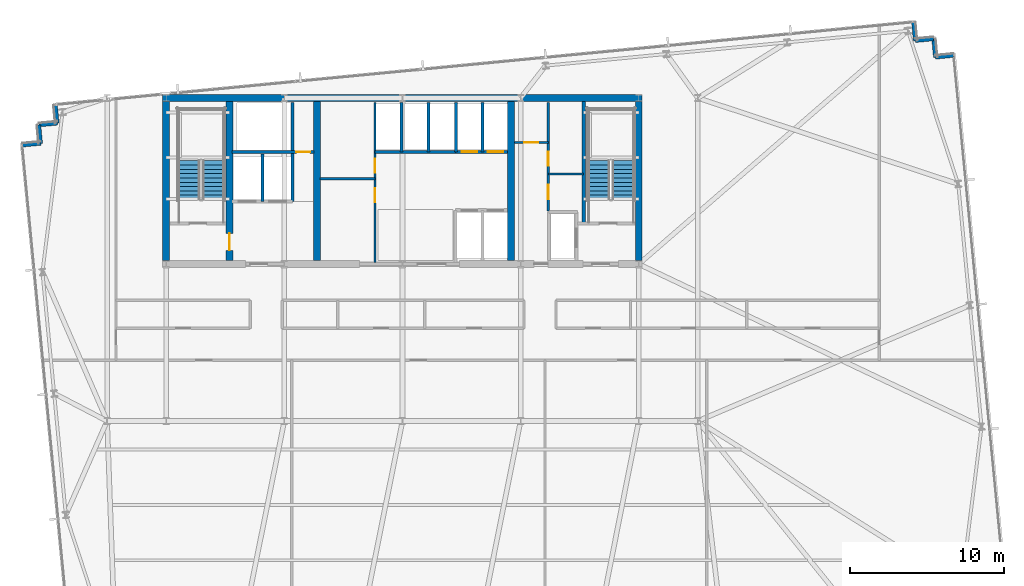
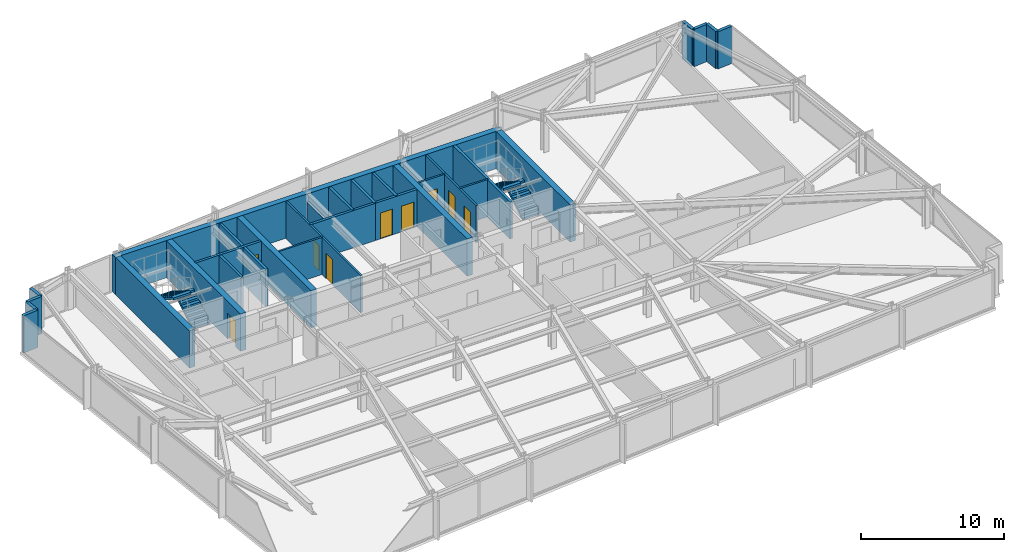
# One storey, part 26 of 32: 29 walls, 9 doors, 4 stair flights, 9 openings, 2 elements without a shape of their own.
"""IFC4 building model written with IfcOpenShell, lengths in metres."""

from ifc_helpers import new_model, si_unit, direction, frame, frame_2d, origin, place, context, subcontext, project, spatial, polyline, rectangle, outline, extrude, material, layer, layer_set, type_object, element, fill, aggregate, save


model = new_model("IFC4")

# Units and contexts
model_context = context("Model", 3, precision=1e-05, world=origin(), true_north=direction((0.0, 1.0)))
body_context = subcontext(model_context, "Body", "Model", "MODEL_VIEW")
ifc_project = project(units=[si_unit("LENGTHUNIT", "METRE"), si_unit("AREAUNIT", "SQUARE_METRE"), si_unit("VOLUMEUNIT", "CUBIC_METRE"), si_unit("PLANEANGLEUNIT", "RADIAN"), si_unit("MASSUNIT", "GRAM", prefix="KILO")], contexts=[model_context])

# Site, building, storey
site_placement = place(None, origin())
site = spatial("IfcSite", under=ifc_project, at=site_placement, CompositionType="ELEMENT")
building_placement = place(site_placement, origin())
building = spatial("IfcBuilding", under=site, at=building_placement, Name="Yelkora Congress Tower", CompositionType="ELEMENT")
storey_placement = place(building_placement, frame((0.0, 0.0, 113.5)))
storey = spatial("IfcBuildingStorey", under=building, at=storey_placement, Name="L30", CompositionType="ELEMENT", Elevation=113.5)

# Walls
ifc_material_1 = material(Name="Concrete C50/60", Category="concrete")
ifc_layer_1 = layer(ifc_material_1, 0.219970703125)
ifc_layer_set_1 = layer_set([ifc_layer_1], Name="Concrete C50/60")
wall_type_1 = type_object("IfcWallType", Name="WALL-CORE-INT-220", PredefinedType="SHEAR", material=ifc_layer_set_1)
wall_1_placement = place(storey_placement, frame((50.179931640625, 38.050048828125, 0.0), z_axis=(0.0, 0.0, 1.0), x_axis=(0.0, 1.0, 0.0)))
element("IfcWall", 1, at=wall_1_placement, inside=storey, type_object=wall_type_1, Name="L30 ST02 West Stair Shear Wall", PredefinedType="SHEAR", context=body_context, shape_type="SweptSolid", body=[
    extrude(rectangle(XDim=7.925048828125, YDim=0.219970703125, at=frame_2d((3.96240234375, 0.0))), origin(), (0.0, 0.0, 1.0), 3.179931640625),
])
ifc_material_2 = material(Name="Concrete C60/75", Category="concrete")
ifc_layer_2 = layer(ifc_material_2, 0.449951171875)
ifc_layer_set_2 = layer_set([ifc_layer_2], Name="Concrete C60/75")
wall_type_2 = type_object("IfcWallType", Name="WALL-CORE-INT-450", PredefinedType="SHEAR", material=ifc_layer_set_2)
wall_2_placement = place(storey_placement, frame((22.81494140625, 46.199951171875, 0.0), z_axis=(0.0, 0.0, 1.0), x_axis=(1.0, 0.0, 0.0)))
element("IfcWall", 2, at=wall_2_placement, inside=storey, type_object=wall_type_2, Name="L30 Rear Core North Shear Wall", PredefinedType="SHEAR", context=body_context, shape_type="SweptSolid", body=[
    extrude(rectangle(XDim=31.170166015625, YDim=0.449951171875, at=frame_2d((15.5849609375, 0.0))), origin(), (0.0, 0.0, 1.0), 3.179931640625),
])
wall_3_placement = place(storey_placement, frame((23.0400390625, 35.625, 0.0), z_axis=(0.0, 0.0, 1.0), x_axis=(0.0, 1.0, 0.0)))
element("IfcWall", 3, at=wall_3_placement, inside=storey, type_object=wall_type_2, Name="L30 Rear Core Cross Shear Wall W", PredefinedType="SHEAR", context=body_context, shape_type="SweptSolid", body=[
    extrude(rectangle(XDim=10.35009765625, YDim=0.449951171875, at=frame_2d((5.175048828125, 0.0))), origin(), (0.0, 0.0, 1.0), 3.179931640625),
])

# Wall, opening, door
wall_4_placement = place(storey_placement, frame((27.14990234375, 35.625, 0.0), z_axis=(0.0, 0.0, 1.0), x_axis=(0.0, 1.0, 0.0)))
wall_4 = element("IfcWall", 4, at=wall_4_placement, inside=storey, type_object=wall_type_2, Name="L30 Rear Core Cross Shear Wall C1", PredefinedType="SHEAR", context=body_context, shape_type="SweptSolid", body=[
    extrude(rectangle(XDim=10.35009765625, YDim=0.449951171875, at=frame_2d((5.175048828125, 0.0))), origin(), (0.0, 0.0, 1.0), 3.179931640625),
])
opening_1_placement = place(wall_4_placement, frame((0.675048828125, 0.0, 0.0)))
opening_1 = element("IfcOpeningElement", 5, at=opening_1_placement, cuts=wall_4, Name="Opening DR-110F9", PredefinedType="OPENING", context=body_context, shape_type="SweptSolid", body=[
    extrude(rectangle(XDim=1.10009765625, YDim=2.14990234375, at=frame_2d((0.550048828125, 1.074951171875))), frame((0.0, 0.23486328125, 0.0), z_axis=(0.0, -1.0, 0.0), x_axis=(1.0, 0.0, 0.0)), (0.0, 0.0, 1.0), 0.469970703125),
])
ifc_material_3 = material(Name="Galvanised steel fire door leaf", Category="steel")
door_type_1 = type_object("IfcDoorType", Name="DOOR-FD90-1100", OperationType="NOTDEFINED", PredefinedType="DOOR", material=ifc_material_3)
door_1_placement = place(opening_1_placement, origin())
door_1 = element("IfcDoor", 6, at=door_1_placement, inside=storey, type_object=door_type_1, Name="L30 Firefighting Stair Transfer Door", OperationType="SINGLE_SWING_LEFT", OverallHeight=2.14990234375, OverallWidth=1.10009765625, PredefinedType="DOOR", context=body_context, shape_type="SweptSolid", body=[
    extrude(rectangle(XDim=1.10009765625, YDim=2.14990234375, at=frame_2d((0.550048828125, 1.074951171875))), frame((0.0, 0.02490234375, 0.0), z_axis=(0.0, -1.0, 0.0), x_axis=(1.0, 0.0, 0.0)), (0.0, 0.0, 1.0), 0.050048828125),
])
fill(opening_1, door_1)

# Walls
for number, where, z_axis, x_axis, name in (
    (7, (32.85009765625, 35.625, 0.0), (0.0, 0.0, 1.0), (0.0, 1.0, 0.0), "L30 Rear Core Cross Shear Wall C2"),
    (8, (45.449951171875, 35.625, 0.0), (0.0, 0.0, 1.0), (0.0, 1.0, 0.0), "L30 Rear Core Cross Shear Wall C3"),
    (9, (53.760009765625, 35.625, 0.0), (0.0, 0.0, 1.0), (0.0, 1.0, 0.0), "L30 Rear Core Cross Shear Wall E"),
):
    element("IfcWall", number, at=place(storey_placement, frame(where, z_axis=z_axis, x_axis=x_axis)), inside=storey, type_object=wall_type_2, Name=name, PredefinedType="SHEAR", context=body_context, shape_type="SweptSolid", body=[
        extrude(rectangle(XDim=10.35009765625, YDim=0.449951171875, at=frame_2d((5.175048828125, 0.0))), origin(), (0.0, 0.0, 1.0), 3.179931640625),
    ])
ifc_material_4 = material(Name="Concrete C40/50", Category="concrete")
ifc_layer_3 = layer(ifc_material_4, 0.239990234375)
ifc_layer_set_3 = layer_set([ifc_layer_3], Name="Concrete C40/50")
wall_type_3 = type_object("IfcWallType", Name="WALL-EXT-LIMESTONE-240", PredefinedType="SOLIDWALL", material=ifc_layer_set_3)
for number, where, z_axis, x_axis, name in (
    (10, (13.69091796875, 43.126708984375, 0.0), (0.0, 0.0, 1.0), (0.995398960025, 0.095817067274, 0.0), "L30 Serrated Corner Limestone Pier 6"),
    (11, (14.885498046875, 43.24169921875, 0.0), (0.0, 0.0, 1.0), (-0.095817067274, 0.995398960025, 0.0), "L30 Serrated Corner Limestone Pier 7"),
):
    element("IfcWall", number, at=place(storey_placement, frame(where, z_axis=z_axis, x_axis=x_axis)), inside=storey, type_object=wall_type_3, Name=name, PredefinedType="SOLIDWALL", context=body_context, shape_type="SweptSolid", body=[
        extrude(rectangle(XDim=1.2001953125, YDim=0.239990234375, at=frame_2d((0.60009765625, 0.0))), origin(), (0.0, 0.0, 1.0), 3.179931640625),
    ])
for number, where, z_axis, x_axis, name in (
    (12, (14.7705078125, 44.436279296875, 0.0), (0.0, 0.0, 1.0), (0.995397091755, 0.095836473879, 0.0), "L30 Serrated Corner Limestone Pier 8"),
    (13, (15.96484375, 44.55126953125, 0.0), (0.0, 0.0, 1.0), (-0.095836473879, 0.995397091755, 0.0), "L30 Serrated Corner Limestone Pier 9"),
):
    element("IfcWall", number, at=place(storey_placement, frame(where, z_axis=z_axis, x_axis=x_axis)), inside=storey, type_object=wall_type_3, Name=name, PredefinedType="SOLIDWALL", context=body_context, shape_type="SweptSolid", body=[
        extrude(rectangle(XDim=1.199951171875, YDim=0.239990234375, at=frame_2d((0.60009765625, 0.0))), origin(), (0.0, 0.0, 1.0), 3.179931640625),
    ])
for number, where, z_axis, x_axis, name in (
    (14, (71.61181640625, 51.114990234375, 0.0), (0.0, 0.0, 1.0), (0.095817067274, -0.995398960025, 0.0), "L30 Serrated Corner Limestone Pier 11"),
    (15, (71.726806640625, 49.92041015625, 0.0), (0.0, 0.0, 1.0), (0.995398960025, 0.095817067274, 0.0), "L30 Serrated Corner Limestone Pier 12"),
    (16, (72.92138671875, 50.035400390625, 0.0), (0.0, 0.0, 1.0), (0.095817067274, -0.995398960025, 0.0), "L30 Serrated Corner Limestone Pier 13"),
    (17, (73.036376953125, 48.8408203125, 0.0), (0.0, 0.0, 1.0), (0.995379537303, 0.096018626938, 0.0), "L30 Serrated Corner Limestone Pier 14"),
):
    element("IfcWall", number, at=place(storey_placement, frame(where, z_axis=z_axis, x_axis=x_axis)), inside=storey, type_object=wall_type_3, Name=name, PredefinedType="SOLIDWALL", context=body_context, shape_type="SweptSolid", body=[
        extrude(rectangle(XDim=1.2001953125, YDim=0.239990234375, at=frame_2d((0.60009765625, 0.0))), origin(), (0.0, 0.0, 1.0), 3.179931640625),
    ])

# Wall, opening, door
ifc_material_5 = material(Name="Acoustic metal-stud gypsum partition", Category="gypsum")
ifc_layer_4 = layer(ifc_material_5, 0.14990234375)
ifc_layer_set_4 = layer_set([ifc_layer_4], Name="Acoustic metal-stud gypsum partition")
wall_type_4 = type_object("IfcWallType", Name="WALL-INT-150-NR", PredefinedType="PARTITIONING", material=ifc_layer_set_4)
wall_5_placement = place(storey_placement, frame((45.679931640625, 43.31005859375, 0.0), z_axis=(0.0, 0.0, 1.0), x_axis=(1.0, 0.0, 0.0)))
wall_5 = element("IfcWall", 18, at=wall_5_placement, inside=storey, type_object=wall_type_4, Name="L30 Partition Wall 24", PredefinedType="PARTITIONING", context=body_context, shape_type="SweptSolid", body=[
    extrude(rectangle(XDim=2.199951171875, YDim=0.14990234375, at=frame_2d((1.10009765625, 0.0))), origin(), (0.0, 0.0, 1.0), 3.179931640625),
])
opening_2_placement = place(wall_5_placement, frame((0.64990234375, 0.0, 0.0)))
opening_2 = element("IfcOpeningElement", 19, at=opening_2_placement, cuts=wall_5, Name="Opening DR-090N", PredefinedType="OPENING", context=body_context, shape_type="SweptSolid", body=[
    extrude(rectangle(XDim=0.89990234375, YDim=2.14990234375, at=frame_2d((0.449951171875, 1.074951171875))), frame((0.0, 0.0849609375, 0.0), z_axis=(0.0, -1.0, 0.0), x_axis=(1.0, 0.0, 0.0)), (0.0, 0.0, 1.0), 0.169921875),
])
ifc_material_6 = material(Name="Moisture-resistant laminate door leaf", Category="wood")
door_type_2 = type_object("IfcDoorType", Name="DOOR-INT-900", OperationType="NOTDEFINED", PredefinedType="DOOR", material=ifc_material_6)
door_2_placement = place(opening_2_placement, origin())
door_2 = element("IfcDoor", 20, at=door_2_placement, inside=storey, type_object=door_type_2, Name="L30 Male WC Door", OperationType="SINGLE_SWING_RIGHT", OverallHeight=2.14990234375, OverallWidth=0.89990234375, PredefinedType="DOOR", context=body_context, shape_type="SweptSolid", body=[
    extrude(rectangle(XDim=0.89990234375, YDim=2.14990234375, at=frame_2d((0.449951171875, 1.074951171875))), frame((0.0, 0.02490234375, 0.0), z_axis=(0.0, -1.0, 0.0), x_axis=(1.0, 0.0, 0.0)), (0.0, 0.0, 1.0), 0.050048828125),
])
fill(opening_2, door_2)

# Wall
wall_6_placement = place(storey_placement, frame((47.8798828125, 41.260009765625, 0.0), z_axis=(0.0, 0.0, 1.0), x_axis=(1.0, 0.0, 0.0)))
element("IfcWall", 21, at=wall_6_placement, inside=storey, type_object=wall_type_4, Name="L30 Partition Wall 25", PredefinedType="PARTITIONING", context=body_context, shape_type="SweptSolid", body=[
    extrude(rectangle(XDim=2.300048828125, YDim=0.14990234375, at=frame_2d((1.14990234375, 0.0))), origin(), (0.0, 0.0, 1.0), 3.179931640625),
])

# Wall, openings, doors
wall_7_placement = place(storey_placement, frame((47.8798828125, 38.85009765625, 0.0), z_axis=(0.0, 0.0, 1.0), x_axis=(0.0, 1.0, 0.0)))
wall_7 = element("IfcWall", 22, at=wall_7_placement, inside=storey, type_object=wall_type_4, Name="L30 Partition Wall 26", PredefinedType="PARTITIONING", context=body_context, shape_type="SweptSolid", body=[
    extrude(rectangle(XDim=7.06982421875, YDim=0.14990234375, at=frame_2d((3.534912109375, 0.0))), origin(), (0.0, 0.0, 1.0), 3.179931640625),
])
opening_3_placement = place(wall_7_placement, frame((0.75, 0.0, 0.0)))
opening_3 = element("IfcOpeningElement", 23, at=opening_3_placement, cuts=wall_7, Name="Opening DR-095N", PredefinedType="OPENING", context=body_context, shape_type="SweptSolid", body=[
    extrude(rectangle(XDim=0.949951171875, YDim=2.14990234375, at=frame_2d((0.47509765625, 1.074951171875))), frame((0.0, 0.0849609375, 0.0), z_axis=(0.0, -1.0, 0.0), x_axis=(1.0, 0.0, 0.0)), (0.0, 0.0, 1.0), 0.169921875),
])
opening_4_placement = place(wall_7_placement, frame((2.949951171875, 0.0, 0.0)))
opening_4 = element("IfcOpeningElement", 24, at=opening_4_placement, cuts=wall_7, Name="Opening DR-090N", PredefinedType="OPENING", context=body_context, shape_type="SweptSolid", body=[
    extrude(rectangle(XDim=0.89990234375, YDim=2.14990234375, at=frame_2d((0.449951171875, 1.074951171875))), frame((0.0, 0.0849609375, 0.0), z_axis=(0.0, -1.0, 0.0), x_axis=(1.0, 0.0, 0.0)), (0.0, 0.0, 1.0), 0.169921875),
])
door_3_placement = place(opening_4_placement, origin())
door_3 = element("IfcDoor", 25, at=door_3_placement, inside=storey, type_object=door_type_2, Name="L30 Female WC Door", OperationType="SINGLE_SWING_RIGHT", OverallHeight=2.14990234375, OverallWidth=0.89990234375, PredefinedType="DOOR", context=body_context, shape_type="SweptSolid", body=[
    extrude(rectangle(XDim=0.89990234375, YDim=2.14990234375, at=frame_2d((0.449951171875, 1.074951171875))), frame((0.0, 0.02490234375, 0.0), z_axis=(0.0, -1.0, 0.0), x_axis=(1.0, 0.0, 0.0)), (0.0, 0.0, 1.0), 0.050048828125),
])
fill(opening_4, door_3)
ifc_material_7 = material(Name="Acoustic laminated timber office door", Category="wood")
door_type_3 = type_object("IfcDoorType", Name="DOOR-INT-950", OperationType="NOTDEFINED", PredefinedType="DOOR", material=ifc_material_7)
door_4_placement = place(opening_3_placement, origin())
door_4 = element("IfcDoor", 26, at=door_4_placement, inside=storey, type_object=door_type_3, Name="L30 Accessible WC Door", OperationType="SINGLE_SWING_LEFT", OverallHeight=2.14990234375, OverallWidth=0.949951171875, PredefinedType="DOOR", context=body_context, shape_type="SweptSolid", body=[
    extrude(rectangle(XDim=0.949951171875, YDim=2.14990234375, at=frame_2d((0.47509765625, 1.074951171875))), frame((0.0, 0.02490234375, 0.0), z_axis=(0.0, -1.0, 0.0), x_axis=(1.0, 0.0, 0.0)), (0.0, 0.0, 1.0), 0.050048828125),
])
fill(opening_3, door_4)

# Wall
ifc_material_8 = material(Name="Twin-stud fire-rated gypsum partition", Category="gypsum")
ifc_layer_5 = layer(ifc_material_8, 0.14990234375)
ifc_layer_set_5 = layer_set([ifc_layer_5], Name="Twin-stud fire-rated gypsum partition")
wall_type_5 = type_object("IfcWallType", Name="WALL-INT-150-R60", PredefinedType="PARTITIONING", material=ifc_layer_set_5)
wall_8_placement = place(storey_placement, frame((33.050048828125, 40.949951171875, 0.0), z_axis=(0.0, 0.0, 1.0), x_axis=(1.0, 0.0, 0.0)))
element("IfcWall", 27, at=wall_8_placement, inside=storey, type_object=wall_type_5, Name="L30 Partition Wall 11", PredefinedType="PARTITIONING", context=body_context, shape_type="SweptSolid", body=[
    extrude(rectangle(XDim=3.570068359375, YDim=0.14990234375, at=frame_2d((1.78515625, 0.0))), origin(), (0.0, 0.0, 1.0), 3.179931640625),
])

# Wall, openings, doors
wall_9_placement = place(storey_placement, frame((36.6201171875, 35.5, 0.0), z_axis=(0.0, 0.0, 1.0), x_axis=(0.0, 1.0, 0.0)))
wall_9 = element("IfcWall", 28, at=wall_9_placement, inside=storey, type_object=wall_type_5, Name="L30 Partition Wall 12", PredefinedType="PARTITIONING", context=body_context, shape_type="SweptSolid", body=[
    extrude(rectangle(XDim=10.419921875, YDim=0.14990234375, at=frame_2d((5.2099609375, 0.0))), origin(), (0.0, 0.0, 1.0), 3.179931640625),
])
opening_5_placement = place(wall_9_placement, frame((3.919921875, 0.0, 0.0)))
opening_5 = element("IfcOpeningElement", 29, at=opening_5_placement, cuts=wall_9, Name="Opening DR-090F6", PredefinedType="OPENING", context=body_context, shape_type="SweptSolid", body=[
    extrude(rectangle(XDim=0.89990234375, YDim=2.14990234375, at=frame_2d((0.449951171875, 1.074951171875))), frame((0.0, 0.0849609375, 0.0), z_axis=(0.0, -1.0, 0.0), x_axis=(1.0, 0.0, 0.0)), (0.0, 0.0, 1.0), 0.169921875),
])
opening_6_placement = place(wall_9_placement, frame((5.85009765625, 0.0, 0.0)))
opening_6 = element("IfcOpeningElement", 30, at=opening_6_placement, cuts=wall_9, Name="Opening DR-090F6", PredefinedType="OPENING", context=body_context, shape_type="SweptSolid", body=[
    extrude(rectangle(XDim=0.89990234375, YDim=2.14990234375, at=frame_2d((0.449951171875, 1.074951171875))), frame((0.0, 0.0849609375, 0.0), z_axis=(0.0, -1.0, 0.0), x_axis=(1.0, 0.0, 0.0)), (0.0, 0.0, 1.0), 0.169921875),
])
ifc_material_9 = material(Name="Painted steel riser fire door leaf", Category="steel")
door_type_4 = type_object("IfcDoorType", Name="DOOR-FD60-900", OperationType="NOTDEFINED", PredefinedType="DOOR", material=ifc_material_9)
door_5_placement = place(opening_5_placement, origin())
door_5 = element("IfcDoor", 31, at=door_5_placement, inside=storey, type_object=door_type_4, Name="L30 Telecom Store Door", OperationType="SINGLE_SWING_LEFT", OverallHeight=2.14990234375, OverallWidth=0.89990234375, PredefinedType="DOOR", context=body_context, shape_type="SweptSolid", body=[
    extrude(rectangle(XDim=0.89990234375, YDim=2.14990234375, at=frame_2d((0.449951171875, 1.074951171875))), frame((0.0, 0.02490234375, 0.0), z_axis=(0.0, -1.0, 0.0), x_axis=(1.0, 0.0, 0.0)), (0.0, 0.0, 1.0), 0.050048828125),
])
fill(opening_5, door_5)
door_6_placement = place(opening_6_placement, origin())
door_6 = element("IfcDoor", 32, at=door_6_placement, inside=storey, type_object=door_type_4, Name="L30 Archive Store Door", OperationType="SINGLE_SWING_RIGHT", OverallHeight=2.14990234375, OverallWidth=0.89990234375, PredefinedType="DOOR", context=body_context, shape_type="SweptSolid", body=[
    extrude(rectangle(XDim=0.89990234375, YDim=2.14990234375, at=frame_2d((0.449951171875, 1.074951171875))), frame((0.0, 0.02490234375, 0.0), z_axis=(0.0, -1.0, 0.0), x_axis=(1.0, 0.0, 0.0)), (0.0, 0.0, 1.0), 0.050048828125),
])
fill(opening_6, door_6)

# Walls
ifc_material_10 = material(Name="Autoclaved aerated concrete blockwork", Category="masonry")
ifc_layer_6 = layer(ifc_material_10, 0.199951171875)
ifc_layer_set_6 = layer_set([ifc_layer_6], Name="Autoclaved aerated concrete blockwork")
wall_type_6 = type_object("IfcWallType", Name="WALL-INT-200-R120", PredefinedType="PARTITIONING", material=ifc_layer_set_6)
wall_10_placement = place(storey_placement, frame((29.300048828125, 39.47998046875, 0.0), z_axis=(0.0, 0.0, 1.0), x_axis=(0.0, 1.0, 0.0)))
element("IfcWall", 33, at=wall_10_placement, inside=storey, type_object=wall_type_6, Name="L30 Partition Wall 4", PredefinedType="PARTITIONING", context=body_context, shape_type="SweptSolid", body=[
    extrude(rectangle(XDim=3.070068359375, YDim=0.199951171875, at=frame_2d((1.53515625, 0.0))), origin(), (0.0, 0.0, 1.0), 3.179931640625),
])
wall_11_placement = place(storey_placement, frame((31.260009765625, 39.47998046875, 0.0), z_axis=(0.0, 0.0, 1.0), x_axis=(0.0, 1.0, 0.0)))
element("IfcWall", 34, at=wall_11_placement, inside=storey, type_object=wall_type_6, Name="L30 Partition Wall 5", PredefinedType="PARTITIONING", context=body_context, shape_type="SweptSolid", body=[
    extrude(rectangle(XDim=6.43994140625, YDim=0.199951171875, at=frame_2d((3.219970703125, 0.0))), origin(), (0.0, 0.0, 1.0), 3.179931640625),
])

# Wall, opening, door
wall_12_placement = place(storey_placement, frame((27.320068359375, 42.679931640625, 0.0), z_axis=(0.0, 0.0, 1.0), x_axis=(1.0, 0.0, 0.0)))
wall_12 = element("IfcWall", 35, at=wall_12_placement, inside=storey, type_object=wall_type_6, Name="L30 Smoke Riser South Wall", PredefinedType="PARTITIONING", context=body_context, shape_type="SweptSolid", body=[
    extrude(rectangle(XDim=5.329833984375, YDim=0.199951171875, at=frame_2d((2.6650390625, 0.0))), origin(), (0.0, 0.0, 1.0), 3.179931640625),
])
opening_7_placement = place(wall_12_placement, frame((4.179931640625, 0.0, 0.0)))
opening_7 = element("IfcOpeningElement", 36, at=opening_7_placement, cuts=wall_12, Name="Opening DR-090F6", PredefinedType="OPENING", context=body_context, shape_type="SweptSolid", body=[
    extrude(rectangle(XDim=0.89990234375, YDim=2.14990234375, at=frame_2d((0.449951171875, 1.074951171875))), frame((0.0, 0.10986328125, 0.0), z_axis=(0.0, -1.0, 0.0), x_axis=(1.0, 0.0, 0.0)), (0.0, 0.0, 1.0), 0.219970703125),
])
door_7_placement = place(opening_7_placement, origin())
door_7 = element("IfcDoor", 37, at=door_7_placement, inside=storey, type_object=door_type_4, Name="L30 Riser Access Door", OperationType="SINGLE_SWING_LEFT", OverallHeight=2.14990234375, OverallWidth=0.89990234375, PredefinedType="DOOR", context=body_context, shape_type="SweptSolid", body=[
    extrude(rectangle(XDim=0.89990234375, YDim=2.14990234375, at=frame_2d((0.449951171875, 1.074951171875))), frame((0.0, 0.02490234375, 0.0), z_axis=(0.0, -1.0, 0.0), x_axis=(1.0, 0.0, 0.0)), (0.0, 0.0, 1.0), 0.050048828125),
])
fill(opening_7, door_7)

# Walls
wall_13_placement = place(storey_placement, frame((36.60009765625, 42.699951171875, 0.0), z_axis=(0.0, 0.0, 1.0), x_axis=(1.0, 0.0, 0.0)))
element("IfcWall", 38, at=wall_13_placement, inside=storey, type_object=wall_type_6, Name="L30 Partition Wall 8", PredefinedType="PARTITIONING", context=body_context, shape_type="SweptSolid", body=[
    extrude(rectangle(XDim=5.25, YDim=0.199951171875, at=frame_2d((2.625, 0.0))), origin(), (0.0, 0.0, 1.0), 3.179931640625),
])
wall_14_placement = place(storey_placement, frame((38.35009765625, 42.699951171875, 0.0), z_axis=(0.0, 0.0, 1.0), x_axis=(0.0, 1.0, 0.0)))
element("IfcWall", 39, at=wall_14_placement, inside=storey, type_object=wall_type_6, Name="L30 Partition Wall 9", PredefinedType="PARTITIONING", context=body_context, shape_type="SweptSolid", body=[
    extrude(rectangle(XDim=3.219970703125, YDim=0.199951171875, at=frame_2d((1.60986328125, 0.0))), origin(), (0.0, 0.0, 1.0), 2.52490234375),
])
wall_15_placement = place(storey_placement, frame((40.10009765625, 42.699951171875, 0.0), z_axis=(0.0, 0.0, 1.0), x_axis=(0.0, 1.0, 0.0)))
element("IfcWall", 40, at=wall_15_placement, inside=storey, type_object=wall_type_6, Name="L30 Partition Wall 10", PredefinedType="PARTITIONING", context=body_context, shape_type="SweptSolid", body=[
    extrude(rectangle(XDim=3.219970703125, YDim=0.199951171875, at=frame_2d((1.60986328125, 0.0))), origin(), (0.0, 0.0, 1.0), 3.179931640625),
])

# Wall, openings, doors
wall_16_placement = place(storey_placement, frame((41.85009765625, 42.699951171875, 0.0), z_axis=(0.0, 0.0, 1.0), x_axis=(1.0, 0.0, 0.0)))
wall_16 = element("IfcWall", 41, at=wall_16_placement, inside=storey, type_object=wall_type_6, Name="L30 Partition Wall 14", PredefinedType="PARTITIONING", context=body_context, shape_type="SweptSolid", body=[
    extrude(rectangle(XDim=3.369873046875, YDim=0.199951171875, at=frame_2d((1.68505859375, 0.0))), origin(), (0.0, 0.0, 1.0), 3.179931640625),
])
opening_8_placement = place(wall_16_placement, frame((0.39990234375, 0.0, 0.0)))
opening_8 = element("IfcOpeningElement", 42, at=opening_8_placement, cuts=wall_16, Name="Opening LD-PS10", PredefinedType="OPENING", context=body_context, shape_type="SweptSolid", body=[
    extrude(rectangle(XDim=1.0, YDim=2.199951171875, at=frame_2d((0.5, 1.10009765625))), frame((0.0, 0.10986328125, 0.0), z_axis=(0.0, -1.0, 0.0), x_axis=(1.0, 0.0, 0.0)), (0.0, 0.0, 1.0), 0.219970703125),
])
opening_9_placement = place(wall_16_placement, frame((2.10009765625, 0.0, 0.0)))
opening_9 = element("IfcOpeningElement", 43, at=opening_9_placement, cuts=wall_16, Name="Opening LD-PS10", PredefinedType="OPENING", context=body_context, shape_type="SweptSolid", body=[
    extrude(rectangle(XDim=1.0, YDim=2.199951171875, at=frame_2d((0.5, 1.10009765625))), frame((0.0, 0.10986328125, 0.0), z_axis=(0.0, -1.0, 0.0), x_axis=(1.0, 0.0, 0.0)), (0.0, 0.0, 1.0), 0.219970703125),
])
ifc_material_11 = material(Name="Champagne stainless steel landing door", Category="steel")
door_type_5 = type_object("IfcDoorType", Name="DOOR-LIFT-PAS-1000", OperationType="DOUBLE_DOOR_SLIDING", PredefinedType="DOOR", material=ifc_material_11)
door_8_placement = place(opening_8_placement, origin())
door_8 = element("IfcDoor", 44, at=door_8_placement, inside=storey, type_object=door_type_5, Name="Lift Landing Door LF-P7 L30", OperationType="DOUBLE_DOOR_SLIDING", OverallHeight=2.199951171875, OverallWidth=1.0, PredefinedType="DOOR", context=body_context, shape_type="SweptSolid", body=[
    extrude(rectangle(XDim=1.0, YDim=2.199951171875, at=frame_2d((0.5, 1.10009765625))), frame((0.0, 0.02490234375, 0.0), z_axis=(0.0, -1.0, 0.0), x_axis=(1.0, 0.0, 0.0)), (0.0, 0.0, 1.0), 0.050048828125),
])
fill(opening_8, door_8)
door_9_placement = place(opening_9_placement, origin())
door_9 = element("IfcDoor", 45, at=door_9_placement, inside=storey, type_object=door_type_5, Name="Lift Landing Door LF-P8 L30", OperationType="DOUBLE_DOOR_SLIDING", OverallHeight=2.199951171875, OverallWidth=1.0, PredefinedType="DOOR", context=body_context, shape_type="SweptSolid", body=[
    extrude(rectangle(XDim=1.0, YDim=2.199951171875, at=frame_2d((0.5, 1.10009765625))), frame((0.0, 0.02490234375, 0.0), z_axis=(0.0, -1.0, 0.0), x_axis=(1.0, 0.0, 0.0)), (0.0, 0.0, 1.0), 0.050048828125),
])
fill(opening_9, door_9)

# Walls
for number, where, z_axis, x_axis, name in (
    (46, (43.60009765625, 42.699951171875, 0.0), (0.0, 0.0, 1.0), (0.0, 1.0, 0.0), "L30 Partition Wall 16"),
    (47, (41.8798828125, 42.699951171875, 0.0), (0.0, 0.0, 1.0), (0.0, 1.0, 0.0), "L30 Partition Wall 18"),
):
    element("IfcWall", number, at=place(storey_placement, frame(where, z_axis=z_axis, x_axis=x_axis)), inside=storey, type_object=wall_type_6, Name=name, PredefinedType="PARTITIONING", context=body_context, shape_type="SweptSolid", body=[
        extrude(rectangle(XDim=3.219970703125, YDim=0.199951171875, at=frame_2d((1.60986328125, 0.0))), origin(), (0.0, 0.0, 1.0), 3.179931640625),
    ])

# Stair, stair flights
stair_type = type_object("IfcStairType", Name="STAIR-HT-1420-R20-170", PredefinedType="HALF_TURN_STAIR", material=ifc_material_4)
stair_1_placement = place(storey_placement, origin())
stair_1 = element("IfcStair", 48, at=stair_1_placement, inside=storey, type_object=stair_type, Name="West Core Protected Exit Stair ST-01 (L30)", PredefinedType="HALF_TURN_STAIR")
stair_flight_type = type_object("IfcStairFlightType", Name="FLIGHT-1420-N10-R170-G280", PredefinedType="STRAIGHT", material=ifc_material_4)
stair_flight_1_placement = place(storey_placement, frame((26.110107421875, 39.60009765625, 0.0), z_axis=(0.0, 0.0, 1.0), x_axis=(0.0, 1.0, 0.0)))
stair_flight_1 = element("IfcStairFlight", 49, at=stair_flight_1_placement, type_object=stair_flight_type, Name="ST-01 L30 Flight 1", NumberOfRisers=10, NumberOfTreads=9, PredefinedType="STRAIGHT", RiserHeight=0.17, TreadLength=0.28, context=body_context, shape_type="SweptSolid", body=[
    extrude(outline(polyline([(0.0, 0.0), (0.0, 0.169921875), (0.280029296875, 0.169921875), (0.280029296875, 0.340087890625), (0.56005859375, 0.340087890625), (0.56005859375, 0.510009765625), (0.840087890625, 0.510009765625), (0.840087890625, 0.679931640625), (1.1201171875, 0.679931640625), (1.1201171875, 0.85009765625), (1.39990234375, 0.85009765625), (1.39990234375, 1.02001953125), (1.679931640625, 1.02001953125), (1.679931640625, 1.18994140625), (1.9599609375, 1.18994140625), (1.9599609375, 1.360107421875), (2.239990234375, 1.360107421875), (2.239990234375, 1.530029296875), (2.52001953125, 1.530029296875), (2.52001953125, 1.699951171875), (2.52001953125, 1.343017578125), (0.30810546875, 0.0), (0.0, 0.0)])), frame((0.0, 0.7099609375, 0.0), z_axis=(0.0, -1.0, 0.0), x_axis=(1.0, 0.0, 0.0)), (0.0, 0.0, 1.0), 1.419921875),
])
stair_flight_2_placement = place(storey_placement, frame((24.530029296875, 42.1201171875, 1.699951171875), z_axis=(0.0, 0.0, 1.0), x_axis=(0.0, -1.0, 0.0)))
stair_flight_2 = element("IfcStairFlight", 50, at=stair_flight_2_placement, type_object=stair_flight_type, Name="ST-01 L30 Flight 2", NumberOfRisers=10, NumberOfTreads=9, PredefinedType="STRAIGHT", RiserHeight=0.17, TreadLength=0.28, context=body_context, shape_type="SweptSolid", body=[
    extrude(outline(polyline([(0.0, 0.0), (0.0, 0.169921875), (0.280029296875, 0.169921875), (0.280029296875, 0.340087890625), (0.56005859375, 0.340087890625), (0.56005859375, 0.510009765625), (0.840087890625, 0.510009765625), (0.840087890625, 0.679931640625), (1.1201171875, 0.679931640625), (1.1201171875, 0.85009765625), (1.39990234375, 0.85009765625), (1.39990234375, 1.02001953125), (1.679931640625, 1.02001953125), (1.679931640625, 1.18994140625), (1.9599609375, 1.18994140625), (1.9599609375, 1.360107421875), (2.239990234375, 1.360107421875), (2.239990234375, 1.530029296875), (2.52001953125, 1.530029296875), (2.52001953125, 1.699951171875), (2.52001953125, 1.343017578125), (0.30810546875, 0.0), (0.0, 0.0)])), frame((0.0, 0.7099609375, 0.0), z_axis=(0.0, -1.0, 0.0), x_axis=(1.0, 0.0, 0.0)), (0.0, 0.0, 1.0), 1.419921875),
])
aggregate(stair_1, [stair_flight_1, stair_flight_2])

stair_2_placement = place(storey_placement, origin())
stair_2 = element("IfcStair", 51, at=stair_2_placement, inside=storey, type_object=stair_type, Name="East Core Protected Exit Stair ST-02 (L30)", PredefinedType="HALF_TURN_STAIR")
stair_flight_3_placement = place(storey_placement, frame((52.75, 39.60009765625, 0.0), z_axis=(0.0, 0.0, 1.0), x_axis=(0.0, 1.0, 0.0)))
stair_flight_3 = element("IfcStairFlight", 52, at=stair_flight_3_placement, type_object=stair_flight_type, Name="ST-02 L30 Flight 1", NumberOfRisers=10, NumberOfTreads=9, PredefinedType="STRAIGHT", RiserHeight=0.17, TreadLength=0.28, context=body_context, shape_type="SweptSolid", body=[
    extrude(outline(polyline([(0.0, 0.0), (0.0, 0.169921875), (0.280029296875, 0.169921875), (0.280029296875, 0.340087890625), (0.56005859375, 0.340087890625), (0.56005859375, 0.510009765625), (0.840087890625, 0.510009765625), (0.840087890625, 0.679931640625), (1.1201171875, 0.679931640625), (1.1201171875, 0.85009765625), (1.39990234375, 0.85009765625), (1.39990234375, 1.02001953125), (1.679931640625, 1.02001953125), (1.679931640625, 1.18994140625), (1.9599609375, 1.18994140625), (1.9599609375, 1.360107421875), (2.239990234375, 1.360107421875), (2.239990234375, 1.530029296875), (2.52001953125, 1.530029296875), (2.52001953125, 1.699951171875), (2.52001953125, 1.343017578125), (0.30810546875, 0.0), (0.0, 0.0)])), frame((0.0, 0.7099609375, 0.0), z_axis=(0.0, -1.0, 0.0), x_axis=(1.0, 0.0, 0.0)), (0.0, 0.0, 1.0), 1.419921875),
])
stair_flight_4_placement = place(storey_placement, frame((51.169921875, 42.1201171875, 1.699951171875), z_axis=(0.0, 0.0, 1.0), x_axis=(0.0, -1.0, 0.0)))
stair_flight_4 = element("IfcStairFlight", 53, at=stair_flight_4_placement, type_object=stair_flight_type, Name="ST-02 L30 Flight 2", NumberOfRisers=10, NumberOfTreads=9, PredefinedType="STRAIGHT", RiserHeight=0.17, TreadLength=0.28, context=body_context, shape_type="SweptSolid", body=[
    extrude(outline(polyline([(0.0, 0.0), (0.0, 0.169921875), (0.280029296875, 0.169921875), (0.280029296875, 0.340087890625), (0.56005859375, 0.340087890625), (0.56005859375, 0.510009765625), (0.840087890625, 0.510009765625), (0.840087890625, 0.679931640625), (1.1201171875, 0.679931640625), (1.1201171875, 0.85009765625), (1.39990234375, 0.85009765625), (1.39990234375, 1.02001953125), (1.679931640625, 1.02001953125), (1.679931640625, 1.18994140625), (1.9599609375, 1.18994140625), (1.9599609375, 1.360107421875), (2.239990234375, 1.360107421875), (2.239990234375, 1.530029296875), (2.52001953125, 1.530029296875), (2.52001953125, 1.699951171875), (2.52001953125, 1.343017578125), (0.30810546875, 0.0), (0.0, 0.0)])), frame((0.0, 0.7099609375, 0.0), z_axis=(0.0, -1.0, 0.0), x_axis=(1.0, 0.0, 0.0)), (0.0, 0.0, 1.0), 1.419921875),
])
aggregate(stair_2, [stair_flight_3, stair_flight_4])

save(model, "model.ifc")
